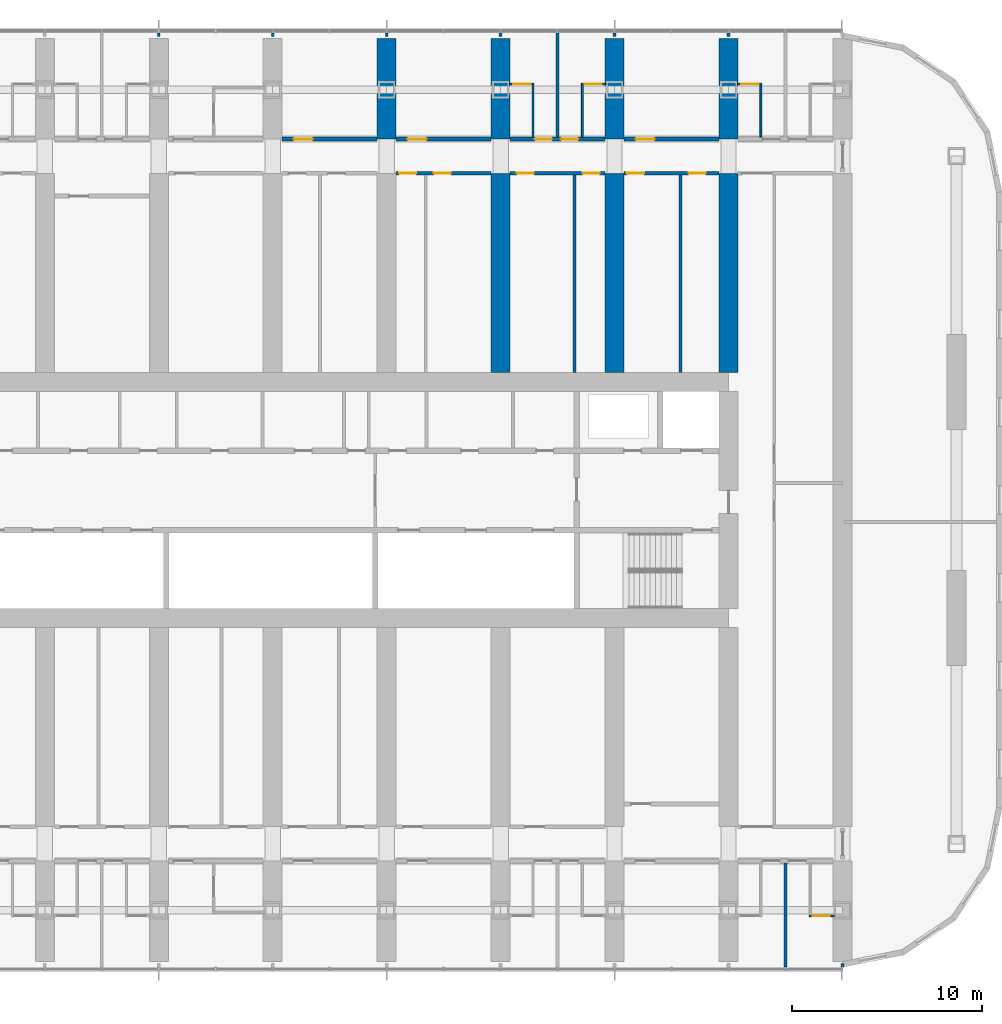
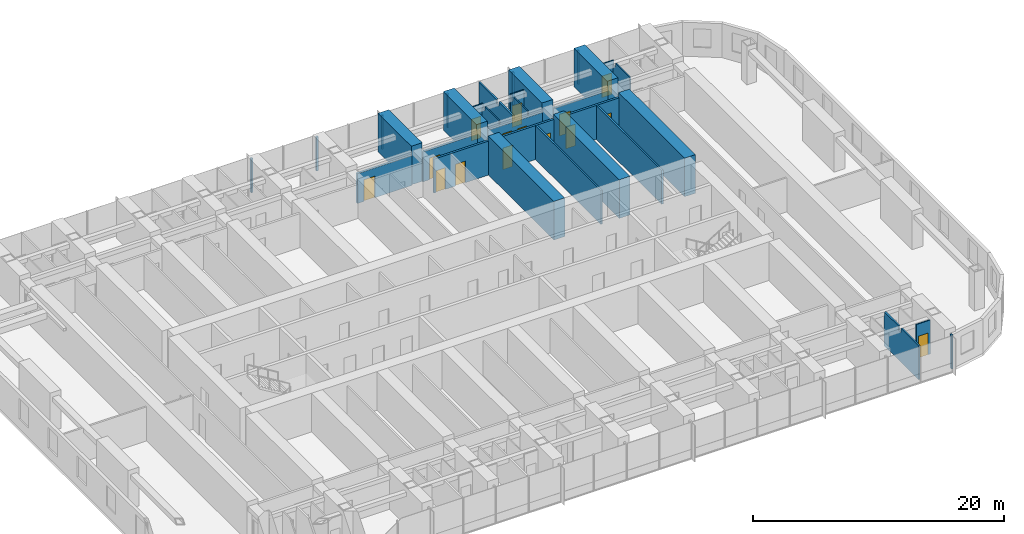
# One storey, part 16 of 23: 32 walls, 15 doors, 15 openings.
"""IFC4 building model written with IfcOpenShell, lengths in metres."""

import ifcopenshell
import ifcopenshell.guid

model = None  # the IFC model being written
_history = None  # IfcOwnerHistory: only IFC2X3 demands one
_inside = {}  # id of a spatial element -> (the spatial element, [elements in it])
_under = {}  # id of a project, library or spatial element -> (it, [spatial elements below it])
_declared = {}  # id of a project -> (the project, [libraries it declares])
_typed = {}  # id of a type object -> (the type object, [elements of that type])
_made_of = {}  # id of a material, layer set ... -> (it, [elements and type objects made of it])


def new_model(schema):
    """Start an empty IFC model of exactly this schema.

    Asked for "IFC4X3", IfcOpenShell would pick the latest addendum, in which some entities
    have other attributes; the version numbers below select the first issue.
    IFC2X3 requires an IfcOwnerHistory on every rooted entity: one is made here for all.
    """
    global model, _history
    if schema == "IFC4X3":
        model = ifcopenshell.file(schema_version=(4, 3, 0, 0))
    else:
        model = ifcopenshell.file(schema=schema)
    _inside.clear()
    _under.clear()
    _declared.clear()
    _typed.clear()
    _made_of.clear()
    _history = None
    if model.schema == "IFC2X3":
        org = make("IfcOrganization", Name="unknown")
        user = make(
            "IfcPersonAndOrganization",
            ThePerson=make("IfcPerson", FamilyName="unknown"),
            TheOrganization=org,
        )
        app = make(
            "IfcApplication",
            ApplicationDeveloper=org,
            Version="unknown",
            ApplicationFullName="unknown",
            ApplicationIdentifier="unknown",
        )
        _history = make(
            "IfcOwnerHistory",
            OwningUser=user,
            OwningApplication=app,
            ChangeAction="ADDED",
            CreationDate=0,
        )
    return model


def make(cls, **values):
    """One entity of the class cls with the attributes given. An attribute that is None is left unset."""
    return model.create_entity(
        cls, **{name: value for name, value in values.items() if value is not None}
    )


def rooted(cls, **values):
    """An entity with a GlobalId (a new one), such as an element, a storey or a relation."""
    return make(cls, GlobalId=ifcopenshell.guid.new(), OwnerHistory=_history, **values)


def si_unit(unit_type, name, prefix=None):
    """IfcSIUnit, for example si_unit("LENGTHUNIT", "METRE", prefix="MILLI")."""
    return make("IfcSIUnit", UnitType=unit_type, Prefix=prefix, Name=name)


def assignment(units):
    """IfcUnitAssignment: the units of a project."""
    return None if units is None else make("IfcUnitAssignment", Units=units)


def point(xyz):
    """IfcCartesianPoint."""
    return None if xyz is None else make("IfcCartesianPoint", Coordinates=xyz)


def direction(xyz):
    """IfcDirection."""
    return None if xyz is None else make("IfcDirection", DirectionRatios=xyz)


def frame(location, z_axis=None, x_axis=None):
    """IfcAxis2Placement3D, a coordinate frame: its origin and axes. An axis left out is left unset."""
    return make(
        "IfcAxis2Placement3D",
        Location=point(location),
        Axis=direction(z_axis),
        RefDirection=direction(x_axis),
    )


def frame_2d(location, x_axis=None):
    """IfcAxis2Placement2D, a coordinate frame in the plane: its origin and x axis."""
    return make(
        "IfcAxis2Placement2D", Location=point(location), RefDirection=direction(x_axis)
    )


def origin():
    """The frame at (0, 0, 0) with its axes left unset."""
    return frame((0.0, 0.0, 0.0))


def place(relative_to, where):
    """IfcLocalPlacement: puts the frame where relative to a parent placement (None: the world)."""
    return make(
        "IfcLocalPlacement", PlacementRelTo=relative_to, RelativePlacement=where
    )


def context(
    kind, dimensions, precision=None, world=None, true_north=None, identifier=None
):
    """IfcGeometricRepresentationContext, for example the 3D "Model" context."""
    return make(
        "IfcGeometricRepresentationContext",
        ContextIdentifier=identifier,
        ContextType=kind,
        CoordinateSpaceDimension=dimensions,
        Precision=precision,
        WorldCoordinateSystem=world,
        TrueNorth=true_north,
    )


def subcontext(parent, identifier, kind, view, scale=None):
    """IfcGeometricRepresentationSubContext, for example "Body" below "Model"."""
    return make(
        "IfcGeometricRepresentationSubContext",
        ContextIdentifier=identifier,
        ContextType=kind,
        ParentContext=parent,
        TargetScale=scale,
        TargetView=view,
    )


def project(units=None, contexts=None):
    """IfcProject with its units and contexts."""
    return rooted(
        "IfcProject",
        Name="project",
        RepresentationContexts=contexts,
        UnitsInContext=assignment(units),
    )


def spatial(cls, under=None, at=None, **own):
    """A site, building, storey or space (cls), placed at a placement, below another one or the project."""
    s = rooted(cls, ObjectPlacement=at, **own)
    if under is not None:
        _under.setdefault(under.id(), (under, []))[1].append(s)
    return s


def polyline(points):
    """IfcPolyline through the points."""
    return make("IfcPolyline", Points=[point(p) for p in points])


def profile(cls, at=None, kind="AREA", **sizes):
    """A parametric profile (cls). Its sizes go by their IFC names, for example OverallWidth=200.0."""
    return make(cls, ProfileType=kind, Position=at, **sizes)


def rectangle(**sizes):
    """IfcRectangleProfileDef."""
    return profile("IfcRectangleProfileDef", **sizes)


def outline(outer, holes=None, kind="AREA"):
    """IfcArbitraryClosedProfileDef: a profile drawn as a closed curve; with holes, ...WithVoids."""
    if holes is None:
        return make("IfcArbitraryClosedProfileDef", ProfileType=kind, OuterCurve=outer)
    return make(
        "IfcArbitraryProfileDefWithVoids",
        ProfileType=kind,
        OuterCurve=outer,
        InnerCurves=holes,
    )


def extrude(swept, where, along, depth):
    """IfcExtrudedAreaSolid: the profile swept, set in the frame where, extruded along a direction by depth."""
    return make(
        "IfcExtrudedAreaSolid",
        SweptArea=swept,
        Position=where,
        ExtrudedDirection=direction(along),
        Depth=depth,
    )


def shape(context_of_items, identifier, shape_type, items):
    """IfcShapeRepresentation: the items that make up one representation, for example the "Body"."""
    return make(
        "IfcShapeRepresentation",
        ContextOfItems=context_of_items,
        RepresentationIdentifier=identifier,
        RepresentationType=shape_type,
        Items=items,
    )


def material(Name=None, Category=None):
    """IfcMaterial."""
    return make("IfcMaterial", Name=Name, Category=Category)


def layer(
    of_material, thickness, ventilated=None, Name=None, Category=None, Priority=None
):
    """IfcMaterialLayer: one layer of a wall or slab, of a material (None: an air gap)."""
    return make(
        "IfcMaterialLayer",
        Material=of_material,
        LayerThickness=thickness,
        IsVentilated=ventilated,
        Name=Name,
        Category=Category,
        Priority=Priority,
    )


def layer_set(layers, Name=None):
    """IfcMaterialLayerSet."""
    return make("IfcMaterialLayerSet", MaterialLayers=layers, LayerSetName=Name)


def made_of(thing, what):
    """Note that an element or type object is made of a material, layer set ...; save() writes the relation."""
    if what is not None:
        _made_of.setdefault(what.id(), (what, []))[1].append(thing)
    return thing


def type_object(cls, material=None, **own):
    """A type object (cls), such as IfcWallType, which elements share."""
    return made_of(rooted(cls, **own), material)


def element(
    cls,
    number,
    at=None,
    inside=None,
    cuts=None,
    type_object=None,
    material=None,
    context=None,
    identifier="Body",
    shape_type=None,
    held_by="IfcProductDefinitionShape",
    body=None,
    shapes=None,
    **own,
):
    """One element of the class cls, such as IfcWall. Its Tag is "e" and its number.

    at: its placement. inside: the storey or other place that contains it. cuts: it is an
    opening in that element (IfcRelVoidsElement). A single representation is given by context,
    identifier, shape_type and body (its items); several are given by shapes. held_by: the class
    of the entity that holds the representations. save() writes the other relations.
    """
    e = rooted(cls, Tag="e%d" % number, ObjectPlacement=at, **own)
    if body is not None:
        shapes = [shape(context, identifier, shape_type, body)]
    if shapes is not None:
        e.Representation = make(held_by, Representations=shapes)
    if inside is not None:
        _inside.setdefault(inside.id(), (inside, []))[1].append(e)
    if cuts is not None:
        rooted(
            "IfcRelVoidsElement", RelatingBuildingElement=cuts, RelatedOpeningElement=e
        )
    if type_object is not None:
        _typed.setdefault(type_object.id(), (type_object, []))[1].append(e)
    return made_of(e, material)


def fill(opening, filler):
    """IfcRelFillsElement: the door or window that sits in an opening."""
    return rooted(
        "IfcRelFillsElement",
        RelatingOpeningElement=opening,
        RelatedBuildingElement=filler,
    )


def aggregate(whole, parts):
    """IfcRelAggregates: a whole, such as a stair, and the parts it consists of."""
    return rooted("IfcRelAggregates", RelatingObject=whole, RelatedObjects=parts)


def save(model, path):
    """Write the relations noted so far, then the file.

    IfcRelAggregates (storeys below a building ...), IfcRelContainedInSpatialStructure (elements
    in a storey), IfcRelDefinesByType, IfcRelAssociatesMaterial and IfcRelDeclares: one each for
    every whole, place, type object, material and project.
    """
    for whole, parts in _under.values():
        aggregate(whole, parts)
    for where, things in _inside.values():
        rooted(
            "IfcRelContainedInSpatialStructure",
            RelatedElements=things,
            RelatingStructure=where,
        )
    for kind, things in _typed.values():
        rooted("IfcRelDefinesByType", RelatedObjects=things, RelatingType=kind)
    for what, things in _made_of.values():
        rooted("IfcRelAssociatesMaterial", RelatedObjects=things, RelatingMaterial=what)
    for by, libraries in _declared.values():
        rooted("IfcRelDeclares", RelatingContext=by, RelatedDefinitions=libraries)
    model.write(path)


model = new_model("IFC4")

# Units and contexts
model_context = context("Model", 3, precision=1e-05, world=origin(), true_north=direction((0.0, 1.0)))
body_context = subcontext(model_context, "Body", "Model", "MODEL_VIEW")
ifc_project = project(units=[si_unit("LENGTHUNIT", "METRE"), si_unit("AREAUNIT", "SQUARE_METRE"), si_unit("VOLUMEUNIT", "CUBIC_METRE"), si_unit("PLANEANGLEUNIT", "RADIAN"), si_unit("MASSUNIT", "GRAM", prefix="KILO")], contexts=[model_context])

# Site, building, storey
site_placement = place(None, origin())
site = spatial("IfcSite", under=ifc_project, at=site_placement, CompositionType="ELEMENT")
building_placement = place(site_placement, origin())
building = spatial("IfcBuilding", under=site, at=building_placement, Name="Orbita Commons", CompositionType="ELEMENT")
storey_placement = place(building_placement, frame((0.0, 0.0, 50.199951171875)))
storey = spatial("IfcBuildingStorey", under=building, at=storey_placement, Name="L12", CompositionType="ELEMENT", Elevation=50.199951171875)

# Wall, opening, door
ifc_material_1 = material(Name="Concrete blockwork", Category="masonry")
ifc_layer_1 = layer(ifc_material_1, 0.199951171875)
ifc_layer_set_1 = layer_set([ifc_layer_1], Name="Concrete blockwork")
wall_type_1 = type_object("IfcWallType", Name="Corridor wall 200 blockwork", PredefinedType="SOLIDWALL", material=ifc_layer_set_1)
wall_1_placement = place(storey_placement, frame((42.5, 51.0, 0.0), z_axis=(0.0, 0.0, 1.0), x_axis=(1.0, 0.0, 0.0)))
wall_1 = element("IfcWall", 1, at=wall_1_placement, inside=storey, type_object=wall_type_1, Name="Corridor wall 200 blockwork L12", PredefinedType="SOLIDWALL", context=body_context, shape_type="SweptSolid", body=[
    extrude(outline(polyline([(0.0, 0.0), (5.0, 0.0), (5.0, 2.900146484375), (0.0, 2.900146484375), (0.0, 0.0)])), frame((0.0, 0.10009765625, 0.0), z_axis=(0.0, -1.0, 0.0), x_axis=(1.0, 0.0, 0.0)), (0.0, 0.0, 1.0), 0.199951171875),
])
opening_1_placement = place(wall_1_placement, frame((0.60009765625, 0.0, 0.0)))
opening_1 = element("IfcOpeningElement", 2, at=opening_1_placement, cuts=wall_1, Name="Opening D06", PredefinedType="OPENING", context=body_context, shape_type="SweptSolid", body=[
    extrude(rectangle(XDim=1.0, YDim=2.10009765625, at=frame_2d((0.5, 1.050048828125))), frame((0.0, 0.10986328125, 0.0), z_axis=(0.0, -1.0, 0.0), x_axis=(1.0, 0.0, 0.0)), (0.0, 0.0, 1.0), 0.219970703125),
])
ifc_material_2 = material(Name="Steel-faced fire door leaf", Category="steel")
door_type_1 = type_object("IfcDoorType", Name="Corridor door 20 min 1000x2100", OperationType="SINGLE_SWING_LEFT", PredefinedType="DOOR", material=ifc_material_2)
door_1_placement = place(opening_1_placement, origin())
door_1 = element("IfcDoor", 3, at=door_1_placement, inside=storey, type_object=door_type_1, Name="House common room L12-N10 door", OperationType="SINGLE_SWING_LEFT", OverallHeight=2.10009765625, OverallWidth=1.0, PredefinedType="DOOR", context=body_context, shape_type="SweptSolid", body=[
    extrude(rectangle(XDim=1.0, YDim=2.10009765625, at=frame_2d((0.5, 1.050048828125))), frame((0.0, 0.02490234375, 0.0), z_axis=(0.0, -1.0, 0.0), x_axis=(1.0, 0.0, 0.0)), (0.0, 0.0, 1.0), 0.050048828125),
])
fill(opening_1, door_1)

wall_2_placement = place(storey_placement, frame((48.5, 51.0, 0.0), z_axis=(0.0, 0.0, 1.0), x_axis=(1.0, 0.0, 0.0)))
wall_2 = element("IfcWall", 4, at=wall_2_placement, inside=storey, type_object=wall_type_1, Name="Corridor wall 200 blockwork L12", PredefinedType="SOLIDWALL", context=body_context, shape_type="SweptSolid", body=[
    extrude(outline(polyline([(0.0, 0.0), (5.0, 0.0), (5.0, 2.900146484375), (0.0, 2.900146484375), (0.0, 0.0)])), frame((0.0, 0.10009765625, 0.0), z_axis=(0.0, -1.0, 0.0), x_axis=(1.0, 0.0, 0.0)), (0.0, 0.0, 1.0), 0.199951171875),
])
opening_2_placement = place(wall_2_placement, frame((0.60009765625, 0.0, 0.0)))
opening_2 = element("IfcOpeningElement", 5, at=opening_2_placement, cuts=wall_2, Name="Opening D06", PredefinedType="OPENING", context=body_context, shape_type="SweptSolid", body=[
    extrude(rectangle(XDim=1.0, YDim=2.10009765625, at=frame_2d((0.5, 1.050048828125))), frame((0.0, 0.10986328125, 0.0), z_axis=(0.0, -1.0, 0.0), x_axis=(1.0, 0.0, 0.0)), (0.0, 0.0, 1.0), 0.219970703125),
])
door_2_placement = place(opening_2_placement, origin())
door_2 = element("IfcDoor", 6, at=door_2_placement, inside=storey, type_object=door_type_1, Name="House kitchen-diner L12-N12 door", OperationType="SINGLE_SWING_LEFT", OverallHeight=2.10009765625, OverallWidth=1.0, PredefinedType="DOOR", context=body_context, shape_type="SweptSolid", body=[
    extrude(rectangle(XDim=1.0, YDim=2.10009765625, at=frame_2d((0.5, 1.050048828125))), frame((0.0, 0.02490234375, 0.0), z_axis=(0.0, -1.0, 0.0), x_axis=(1.0, 0.0, 0.0)), (0.0, 0.0, 1.0), 0.050048828125),
])
fill(opening_2, door_2)

# Wall, openings, doors
wall_3_placement = place(storey_placement, frame((54.5, 51.0, 0.0), z_axis=(0.0, 0.0, 1.0), x_axis=(1.0, 0.0, 0.0)))
wall_3 = element("IfcWall", 7, at=wall_3_placement, inside=storey, type_object=wall_type_1, Name="Corridor wall 200 blockwork L12", PredefinedType="SOLIDWALL", context=body_context, shape_type="SweptSolid", body=[
    extrude(outline(polyline([(0.0, 0.0), (5.0, 0.0), (5.0, 2.900146484375), (0.0, 2.900146484375), (0.0, 0.0)])), frame((0.0, 0.10009765625, 0.0), z_axis=(0.0, -1.0, 0.0), x_axis=(1.0, 0.0, 0.0)), (0.0, 0.0, 1.0), 0.199951171875),
])
opening_3_placement = place(wall_3_placement, frame((1.300048828125, 0.0, 0.0)))
opening_3 = element("IfcOpeningElement", 8, at=opening_3_placement, cuts=wall_3, Name="Opening D11", PredefinedType="OPENING", context=body_context, shape_type="SweptSolid", body=[
    extrude(rectangle(XDim=0.89990234375, YDim=2.10009765625, at=frame_2d((0.449951171875, 1.050048828125))), frame((0.0, 0.10986328125, 0.0), z_axis=(0.0, -1.0, 0.0), x_axis=(1.0, 0.0, 0.0)), (0.0, 0.0, 1.0), 0.219970703125),
])
opening_4_placement = place(wall_3_placement, frame((2.675048828125, 0.0, 0.0)))
opening_4 = element("IfcOpeningElement", 9, at=opening_4_placement, cuts=wall_3, Name="Opening D11", PredefinedType="OPENING", context=body_context, shape_type="SweptSolid", body=[
    extrude(rectangle(XDim=0.89990234375, YDim=2.10009765625, at=frame_2d((0.449951171875, 1.050048828125))), frame((0.0, 0.10986328125, 0.0), z_axis=(0.0, -1.0, 0.0), x_axis=(1.0, 0.0, 0.0)), (0.0, 0.0, 1.0), 0.219970703125),
])
ifc_material_3 = material(Name="Steel-faced fire door leaf", Category="steel")
door_type_2 = type_object("IfcDoorType", Name="Corridor door 20 min 900x2100", OperationType="SINGLE_SWING_LEFT", PredefinedType="DOOR", material=ifc_material_3)
door_3_placement = place(opening_3_placement, origin())
door_3 = element("IfcDoor", 10, at=door_3_placement, inside=storey, type_object=door_type_2, Name="House bedroom L12-N14 door", OperationType="SINGLE_SWING_LEFT", OverallHeight=2.10009765625, OverallWidth=0.89990234375, PredefinedType="DOOR", context=body_context, shape_type="SweptSolid", body=[
    extrude(rectangle(XDim=0.89990234375, YDim=2.10009765625, at=frame_2d((0.449951171875, 1.050048828125))), frame((0.0, 0.02490234375, 0.0), z_axis=(0.0, -1.0, 0.0), x_axis=(1.0, 0.0, 0.0)), (0.0, 0.0, 1.0), 0.050048828125),
])
fill(opening_3, door_3)
door_4_placement = place(opening_4_placement, origin())
door_4 = element("IfcDoor", 11, at=door_4_placement, inside=storey, type_object=door_type_2, Name="House bedroom L12-N15 door", OperationType="SINGLE_SWING_LEFT", OverallHeight=2.10009765625, OverallWidth=0.89990234375, PredefinedType="DOOR", context=body_context, shape_type="SweptSolid", body=[
    extrude(rectangle(XDim=0.89990234375, YDim=2.10009765625, at=frame_2d((0.449951171875, 1.050048828125))), frame((0.0, 0.02490234375, 0.0), z_axis=(0.0, -1.0, 0.0), x_axis=(1.0, 0.0, 0.0)), (0.0, 0.0, 1.0), 0.050048828125),
])
fill(opening_4, door_4)

# Wall, opening, door
wall_4_placement = place(storey_placement, frame((60.5, 51.0, 0.0), z_axis=(0.0, 0.0, 1.0), x_axis=(1.0, 0.0, 0.0)))
wall_4 = element("IfcWall", 12, at=wall_4_placement, inside=storey, type_object=wall_type_1, Name="Corridor wall 200 blockwork L12", PredefinedType="SOLIDWALL", context=body_context, shape_type="SweptSolid", body=[
    extrude(outline(polyline([(0.0, 0.0), (5.0, 0.0), (5.0, 2.900146484375), (0.0, 2.900146484375), (0.0, 0.0)])), frame((0.0, 0.10009765625, 0.0), z_axis=(0.0, -1.0, 0.0), x_axis=(1.0, 0.0, 0.0)), (0.0, 0.0, 1.0), 0.199951171875),
])
opening_5_placement = place(wall_4_placement, frame((0.60009765625, 0.0, 0.0)))
opening_5 = element("IfcOpeningElement", 13, at=opening_5_placement, cuts=wall_4, Name="Opening D06", PredefinedType="OPENING", context=body_context, shape_type="SweptSolid", body=[
    extrude(rectangle(XDim=1.0, YDim=2.10009765625, at=frame_2d((0.5, 1.050048828125))), frame((0.0, 0.10986328125, 0.0), z_axis=(0.0, -1.0, 0.0), x_axis=(1.0, 0.0, 0.0)), (0.0, 0.0, 1.0), 0.219970703125),
])
door_5_placement = place(opening_5_placement, origin())
door_5 = element("IfcDoor", 14, at=door_5_placement, inside=storey, type_object=door_type_1, Name="House study room L12-N16 door", OperationType="SINGLE_SWING_LEFT", OverallHeight=2.10009765625, OverallWidth=1.0, PredefinedType="DOOR", context=body_context, shape_type="SweptSolid", body=[
    extrude(rectangle(XDim=1.0, YDim=2.10009765625, at=frame_2d((0.5, 1.050048828125))), frame((0.0, 0.02490234375, 0.0), z_axis=(0.0, -1.0, 0.0), x_axis=(1.0, 0.0, 0.0)), (0.0, 0.0, 1.0), 0.050048828125),
])
fill(opening_5, door_5)

# Wall, openings, doors
ifc_material_4 = material(Name="Hollow concrete block 200", Category="concrete")
ifc_layer_2 = layer(ifc_material_4, 0.199951171875)
ifc_layer_set_2 = layer_set([ifc_layer_2], Name="Hollow concrete block 200")
wall_type_2 = type_object("IfcWallType", Name="Corridor wall 200 hollow concrete block", PredefinedType="SOLIDWALL", material=ifc_layer_set_2)
wall_5_placement = place(storey_placement, frame((48.5, 49.199951171875, 0.0), z_axis=(0.0, 0.0, 1.0), x_axis=(1.0, 0.0, 0.0)))
wall_5 = element("IfcWall", 15, at=wall_5_placement, inside=storey, type_object=wall_type_2, Name="Corridor wall 200 hollow concrete block L12", PredefinedType="SOLIDWALL", context=body_context, shape_type="SweptSolid", body=[
    extrude(rectangle(XDim=5.0, YDim=0.199951171875, at=frame_2d((2.5, 0.0))), origin(), (0.0, 0.0, 1.0), 3.300048828125),
])
opening_6_placement = place(wall_5_placement, frame((0.14990234375, 0.0, 0.0)))
opening_6 = element("IfcOpeningElement", 16, at=opening_6_placement, cuts=wall_5, Name="Opening D11", PredefinedType="OPENING", context=body_context, shape_type="SweptSolid", body=[
    extrude(rectangle(XDim=0.89990234375, YDim=2.10009765625, at=frame_2d((0.449951171875, 1.050048828125))), frame((0.0, 0.10986328125, 0.0), z_axis=(0.0, -1.0, 0.0), x_axis=(1.0, 0.0, 0.0)), (0.0, 0.0, 1.0), 0.219970703125),
])
opening_7_placement = place(wall_5_placement, frame((1.97998046875, 0.0, 0.0)))
opening_7 = element("IfcOpeningElement", 17, at=opening_7_placement, cuts=wall_5, Name="Opening D11", PredefinedType="OPENING", context=body_context, shape_type="SweptSolid", body=[
    extrude(rectangle(XDim=0.89990234375, YDim=2.10009765625, at=frame_2d((0.449951171875, 1.050048828125))), frame((0.0, 0.10986328125, 0.0), z_axis=(0.0, -1.0, 0.0), x_axis=(1.0, 0.0, 0.0)), (0.0, 0.0, 1.0), 0.219970703125),
])
door_6_placement = place(opening_6_placement, origin())
door_6 = element("IfcDoor", 18, at=door_6_placement, inside=storey, type_object=door_type_2, Name="Riser access cupboard L12-BDN48n door", OperationType="SINGLE_SWING_LEFT", OverallHeight=2.10009765625, OverallWidth=0.89990234375, PredefinedType="DOOR", context=body_context, shape_type="SweptSolid", body=[
    extrude(rectangle(XDim=0.89990234375, YDim=2.10009765625, at=frame_2d((0.449951171875, 1.050048828125))), frame((0.0, 0.02490234375, 0.0), z_axis=(0.0, -1.0, 0.0), x_axis=(1.0, 0.0, 0.0)), (0.0, 0.0, 1.0), 0.050048828125),
])
fill(opening_6, door_6)
door_7_placement = place(opening_7_placement, origin())
door_7 = element("IfcDoor", 19, at=door_7_placement, inside=storey, type_object=door_type_2, Name="House pantry L12-BDN48 door", OperationType="SINGLE_SWING_LEFT", OverallHeight=2.10009765625, OverallWidth=0.89990234375, PredefinedType="DOOR", context=body_context, shape_type="SweptSolid", body=[
    extrude(rectangle(XDim=0.89990234375, YDim=2.10009765625, at=frame_2d((0.449951171875, 1.050048828125))), frame((0.0, 0.02490234375, 0.0), z_axis=(0.0, -1.0, 0.0), x_axis=(1.0, 0.0, 0.0)), (0.0, 0.0, 1.0), 0.050048828125),
])
fill(opening_7, door_7)

wall_6_placement = place(storey_placement, frame((54.5, 49.199951171875, 0.0), z_axis=(0.0, 0.0, 1.0), x_axis=(1.0, 0.0, 0.0)))
wall_6 = element("IfcWall", 20, at=wall_6_placement, inside=storey, type_object=wall_type_2, Name="Corridor wall 200 hollow concrete block L12", PredefinedType="SOLIDWALL", context=body_context, shape_type="SweptSolid", body=[
    extrude(rectangle(XDim=5.0, YDim=0.199951171875, at=frame_2d((2.5, 0.0))), origin(), (0.0, 0.0, 1.0), 3.300048828125),
])
opening_8_placement = place(wall_6_placement, frame((0.35009765625, 0.0, 0.0)))
opening_8 = element("IfcOpeningElement", 21, at=opening_8_placement, cuts=wall_6, Name="Opening D11", PredefinedType="OPENING", context=body_context, shape_type="SweptSolid", body=[
    extrude(rectangle(XDim=0.89990234375, YDim=2.10009765625, at=frame_2d((0.449951171875, 1.050048828125))), frame((0.0, 0.10986328125, 0.0), z_axis=(0.0, -1.0, 0.0), x_axis=(1.0, 0.0, 0.0)), (0.0, 0.0, 1.0), 0.219970703125),
])
opening_9_placement = place(wall_6_placement, frame((3.81005859375, 0.0, 0.0)))
opening_9 = element("IfcOpeningElement", 22, at=opening_9_placement, cuts=wall_6, Name="Opening D11", PredefinedType="OPENING", context=body_context, shape_type="SweptSolid", body=[
    extrude(rectangle(XDim=0.89990234375, YDim=2.10009765625, at=frame_2d((0.449951171875, 1.050048828125))), frame((0.0, 0.10986328125, 0.0), z_axis=(0.0, -1.0, 0.0), x_axis=(1.0, 0.0, 0.0)), (0.0, 0.0, 1.0), 0.219970703125),
])
door_8_placement = place(opening_8_placement, origin())
door_8 = element("IfcDoor", 23, at=door_8_placement, inside=storey, type_object=door_type_2, Name="Parcel and post room L12-BDN54 door", OperationType="SINGLE_SWING_LEFT", OverallHeight=2.10009765625, OverallWidth=0.89990234375, PredefinedType="DOOR", context=body_context, shape_type="SweptSolid", body=[
    extrude(rectangle(XDim=0.89990234375, YDim=2.10009765625, at=frame_2d((0.449951171875, 1.050048828125))), frame((0.0, 0.02490234375, 0.0), z_axis=(0.0, -1.0, 0.0), x_axis=(1.0, 0.0, 0.0)), (0.0, 0.0, 1.0), 0.050048828125),
])
fill(opening_8, door_8)
door_9_placement = place(opening_9_placement, origin())
door_9 = element("IfcDoor", 24, at=door_9_placement, inside=storey, type_object=door_type_2, Name="Water heater cupboard L12-BDN54n door", OperationType="SINGLE_SWING_LEFT", OverallHeight=2.10009765625, OverallWidth=0.89990234375, PredefinedType="DOOR", context=body_context, shape_type="SweptSolid", body=[
    extrude(rectangle(XDim=0.89990234375, YDim=2.10009765625, at=frame_2d((0.449951171875, 1.050048828125))), frame((0.0, 0.02490234375, 0.0), z_axis=(0.0, -1.0, 0.0), x_axis=(1.0, 0.0, 0.0)), (0.0, 0.0, 1.0), 0.050048828125),
])
fill(opening_9, door_9)

wall_7_placement = place(storey_placement, frame((60.5, 49.199951171875, 0.0), z_axis=(0.0, 0.0, 1.0), x_axis=(1.0, 0.0, 0.0)))
wall_7 = element("IfcWall", 25, at=wall_7_placement, inside=storey, type_object=wall_type_2, Name="Corridor wall 200 hollow concrete block L12", PredefinedType="SOLIDWALL", context=body_context, shape_type="SweptSolid", body=[
    extrude(rectangle(XDim=5.0, YDim=0.199951171875, at=frame_2d((2.5, 0.0))), origin(), (0.0, 0.0, 1.0), 3.300048828125),
])
opening_10_placement = place(wall_7_placement, frame((0.14990234375, 0.0, 0.0)))
opening_10 = element("IfcOpeningElement", 26, at=opening_10_placement, cuts=wall_7, Name="Opening D11", PredefinedType="OPENING", context=body_context, shape_type="SweptSolid", body=[
    extrude(rectangle(XDim=0.89990234375, YDim=2.10009765625, at=frame_2d((0.449951171875, 1.050048828125))), frame((0.0, 0.10986328125, 0.0), z_axis=(0.0, -1.0, 0.0), x_axis=(1.0, 0.0, 0.0)), (0.0, 0.0, 1.0), 0.219970703125),
])
opening_11_placement = place(wall_7_placement, frame((3.39501953125, 0.0, 0.0)))
opening_11 = element("IfcOpeningElement", 27, at=opening_11_placement, cuts=wall_7, Name="Opening D11", PredefinedType="OPENING", context=body_context, shape_type="SweptSolid", body=[
    extrude(rectangle(XDim=0.89990234375, YDim=2.10009765625, at=frame_2d((0.449951171875, 1.050048828125))), frame((0.0, 0.10986328125, 0.0), z_axis=(0.0, -1.0, 0.0), x_axis=(1.0, 0.0, 0.0)), (0.0, 0.0, 1.0), 0.219970703125),
])
door_10_placement = place(opening_10_placement, origin())
door_10 = element("IfcDoor", 28, at=door_10_placement, inside=storey, type_object=door_type_2, Name="Cleaners store L12-BDN60 door", OperationType="SINGLE_SWING_LEFT", OverallHeight=2.10009765625, OverallWidth=0.89990234375, PredefinedType="DOOR", context=body_context, shape_type="SweptSolid", body=[
    extrude(rectangle(XDim=0.89990234375, YDim=2.10009765625, at=frame_2d((0.449951171875, 1.050048828125))), frame((0.0, 0.02490234375, 0.0), z_axis=(0.0, -1.0, 0.0), x_axis=(1.0, 0.0, 0.0)), (0.0, 0.0, 1.0), 0.050048828125),
])
fill(opening_10, door_10)
door_11_placement = place(opening_11_placement, origin())
door_11 = element("IfcDoor", 29, at=door_11_placement, inside=storey, type_object=door_type_2, Name="Battery and UPS room L12-BDN60n door", OperationType="SINGLE_SWING_LEFT", OverallHeight=2.10009765625, OverallWidth=0.89990234375, PredefinedType="DOOR", context=body_context, shape_type="SweptSolid", body=[
    extrude(rectangle(XDim=0.89990234375, YDim=2.10009765625, at=frame_2d((0.449951171875, 1.050048828125))), frame((0.0, 0.02490234375, 0.0), z_axis=(0.0, -1.0, 0.0), x_axis=(1.0, 0.0, 0.0)), (0.0, 0.0, 1.0), 0.050048828125),
])
fill(opening_11, door_11)

# Walls
ifc_material_5 = material(Name="Concrete C50/60", Category="concrete")
ifc_layer_3 = layer(ifc_material_5, 1.0)
ifc_layer_set_3 = layer_set([ifc_layer_3], Name="Concrete C50/60")
wall_type_3 = type_object("IfcWallType", Name="Cross wall 1000 C50/60", PredefinedType="SHEAR", material=ifc_layer_set_3)
for number, where, z_axis, x_axis, name in (
    (30, (48.0, 51.0, 0.0), (0.0, 0.0, 1.0), (0.0, 1.0, 0.0), "Cross wall 9 north outer L12"),
    (31, (54.0, 51.0, 0.0), (0.0, 0.0, 1.0), (0.0, 1.0, 0.0), "Cross wall 10 north outer L12"),
):
    element("IfcWall", number, at=place(storey_placement, frame(where, z_axis=z_axis, x_axis=x_axis)), inside=storey, type_object=wall_type_3, Name=name, PredefinedType="SHEAR", context=body_context, shape_type="SweptSolid", body=[
        extrude(rectangle(XDim=5.300048828125, YDim=1.0, at=frame_2d((2.64990234375, 0.0))), origin(), (0.0, 0.0, 1.0), 3.75),
    ])
wall_8_placement = place(storey_placement, frame((54.0, 38.699951171875, 0.0), z_axis=(0.0, 0.0, 1.0), x_axis=(0.0, 1.0, 0.0)))
element("IfcWall", 32, at=wall_8_placement, inside=storey, type_object=wall_type_3, Name="Cross wall 10 north inner L12", PredefinedType="SHEAR", context=body_context, shape_type="SweptSolid", body=[
    extrude(rectangle(XDim=10.5, YDim=1.0, at=frame_2d((5.25, 0.0))), origin(), (0.0, 0.0, 1.0), 3.75),
])
wall_9_placement = place(storey_placement, frame((60.0, 51.0, 0.0), z_axis=(0.0, 0.0, 1.0), x_axis=(0.0, 1.0, 0.0)))
element("IfcWall", 33, at=wall_9_placement, inside=storey, type_object=wall_type_3, Name="Cross wall 11 north outer L12", PredefinedType="SHEAR", context=body_context, shape_type="SweptSolid", body=[
    extrude(rectangle(XDim=5.300048828125, YDim=1.0, at=frame_2d((2.64990234375, 0.0))), origin(), (0.0, 0.0, 1.0), 3.75),
])
wall_10_placement = place(storey_placement, frame((60.0, 38.699951171875, 0.0), z_axis=(0.0, 0.0, 1.0), x_axis=(0.0, 1.0, 0.0)))
element("IfcWall", 34, at=wall_10_placement, inside=storey, type_object=wall_type_3, Name="Cross wall 11 north inner L12", PredefinedType="SHEAR", context=body_context, shape_type="SweptSolid", body=[
    extrude(rectangle(XDim=10.5, YDim=1.0, at=frame_2d((5.25, 0.0))), origin(), (0.0, 0.0, 1.0), 3.75),
])
wall_11_placement = place(storey_placement, frame((66.0, 51.0, 0.0), z_axis=(0.0, 0.0, 1.0), x_axis=(0.0, 1.0, 0.0)))
element("IfcWall", 35, at=wall_11_placement, inside=storey, type_object=wall_type_3, Name="Cross wall 12 north outer L12", PredefinedType="SHEAR", context=body_context, shape_type="SweptSolid", body=[
    extrude(rectangle(XDim=5.300048828125, YDim=1.0, at=frame_2d((2.64990234375, 0.0))), origin(), (0.0, 0.0, 1.0), 3.75),
])
wall_12_placement = place(storey_placement, frame((66.0, 38.699951171875, 0.0), z_axis=(0.0, 0.0, 1.0), x_axis=(0.0, 1.0, 0.0)))
element("IfcWall", 36, at=wall_12_placement, inside=storey, type_object=wall_type_3, Name="Cross wall 12 north inner L12", PredefinedType="SHEAR", context=body_context, shape_type="SweptSolid", body=[
    extrude(rectangle(XDim=10.5, YDim=1.0, at=frame_2d((5.25, 0.0))), origin(), (0.0, 0.0, 1.0), 3.75),
])

# Wall, opening, door
ifc_material_6 = material(Name="Moisture-resistant plasterboard on steel studs", Category="steel")
ifc_layer_4 = layer(ifc_material_6, 0.10009765625)
ifc_layer_set_4 = layer_set([ifc_layer_4], Name="Moisture-resistant plasterboard on steel studs")
wall_type_4 = type_object("IfcWallType", Name="En-suite partition 100", PredefinedType="PARTITIONING", material=ifc_layer_set_4)
wall_13_placement = place(storey_placement, frame((71.550048828125, 10.10009765625, 0.0), z_axis=(0.0, 0.0, 1.0), x_axis=(-1.0, 0.0, 0.0)))
wall_13 = element("IfcWall", 37, at=wall_13_placement, inside=storey, type_object=wall_type_4, Name="En-suite partition 100 L12", PredefinedType="PARTITIONING", context=body_context, shape_type="SweptSolid", body=[
    extrude(rectangle(XDim=1.300048828125, YDim=0.10009765625, at=frame_2d((0.64990234375, 0.0))), origin(), (0.0, 0.0, 1.0), 3.300048828125),
])
opening_12_placement = place(wall_13_placement, frame((0.22509765625, 0.0, 0.0)))
opening_12 = element("IfcOpeningElement", 38, at=opening_12_placement, cuts=wall_13, Name="Opening D09", PredefinedType="OPENING", context=body_context, shape_type="SweptSolid", body=[
    extrude(rectangle(XDim=0.89990234375, YDim=2.10009765625, at=frame_2d((0.449951171875, 1.050048828125))), frame((0.0, 0.06005859375, 0.0), z_axis=(0.0, -1.0, 0.0), x_axis=(1.0, 0.0, 0.0)), (0.0, 0.0, 1.0), 0.1201171875),
])
ifc_material_7 = material(Name="Laminated timber door leaf", Category="wood")
door_type_3 = type_object("IfcDoorType", Name="En-suite door 900x2100", OperationType="SINGLE_SWING_RIGHT", PredefinedType="DOOR", material=ifc_material_7)
door_12_placement = place(opening_12_placement, origin())
door_12 = element("IfcDoor", 39, at=door_12_placement, inside=storey, type_object=door_type_3, Name="En-suite L12-S19 door", OperationType="SINGLE_SWING_RIGHT", OverallHeight=2.10009765625, OverallWidth=0.89990234375, PredefinedType="DOOR", context=body_context, shape_type="SweptSolid", body=[
    extrude(rectangle(XDim=0.89990234375, YDim=2.10009765625, at=frame_2d((0.449951171875, 1.050048828125))), frame((0.0, 0.02490234375, 0.0), z_axis=(0.0, -1.0, 0.0), x_axis=(1.0, 0.0, 0.0)), (0.0, 0.0, 1.0), 0.050048828125),
])
fill(opening_12, door_12)

wall_14_placement = place(storey_placement, frame((54.449951171875, 53.89990234375, 0.0), z_axis=(0.0, 0.0, 1.0), x_axis=(1.0, 0.0, 0.0)))
wall_14 = element("IfcWall", 40, at=wall_14_placement, inside=storey, type_object=wall_type_4, Name="En-suite partition 100 L12", PredefinedType="PARTITIONING", context=body_context, shape_type="SweptSolid", body=[
    extrude(rectangle(XDim=1.300048828125, YDim=0.10009765625, at=frame_2d((0.64990234375, 0.0))), origin(), (0.0, 0.0, 1.0), 3.300048828125),
])
opening_13_placement = place(wall_14_placement, frame((0.22509765625, 0.0, 0.0)))
opening_13 = element("IfcOpeningElement", 41, at=opening_13_placement, cuts=wall_14, Name="Opening D09", PredefinedType="OPENING", context=body_context, shape_type="SweptSolid", body=[
    extrude(rectangle(XDim=0.89990234375, YDim=2.10009765625, at=frame_2d((0.449951171875, 1.050048828125))), frame((0.0, 0.06005859375, 0.0), z_axis=(0.0, -1.0, 0.0), x_axis=(1.0, 0.0, 0.0)), (0.0, 0.0, 1.0), 0.1201171875),
])
door_13_placement = place(opening_13_placement, origin())
door_13 = element("IfcDoor", 42, at=door_13_placement, inside=storey, type_object=door_type_3, Name="En-suite L12-N14 door", OperationType="SINGLE_SWING_RIGHT", OverallHeight=2.10009765625, OverallWidth=0.89990234375, PredefinedType="DOOR", context=body_context, shape_type="SweptSolid", body=[
    extrude(rectangle(XDim=0.89990234375, YDim=2.10009765625, at=frame_2d((0.449951171875, 1.050048828125))), frame((0.0, 0.02490234375, 0.0), z_axis=(0.0, -1.0, 0.0), x_axis=(1.0, 0.0, 0.0)), (0.0, 0.0, 1.0), 0.050048828125),
])
fill(opening_13, door_13)

# Wall
wall_15_placement = place(storey_placement, frame((55.699951171875, 53.85009765625, 0.0), z_axis=(0.0, 0.0, 1.0), x_axis=(0.0, -1.0, 0.0)))
element("IfcWall", 43, at=wall_15_placement, inside=storey, type_object=wall_type_4, Name="En-suite partition 100 L12", PredefinedType="PARTITIONING", context=body_context, shape_type="SweptSolid", body=[
    extrude(outline(polyline([(0.0, 0.0), (2.75, 0.0), (2.75, 2.900146484375), (2.701904296875, 2.900146484375), (2.699951171875, 3.300048828125), (0.451904296875, 3.300048828125), (0.449951171875, 2.900146484375), (0.0, 2.900146484375), (0.0, 0.0)])), frame((0.0, 0.050048828125, 0.0), z_axis=(0.0, -1.0, 0.0), x_axis=(1.0, 0.0, 0.0)), (0.0, 0.0, 1.0), 0.10009765625),
])

# Wall, opening, door
wall_16_placement = place(storey_placement, frame((58.25, 53.89990234375, 0.0), z_axis=(0.0, 0.0, 1.0), x_axis=(1.0, 0.0, 0.0)))
wall_16 = element("IfcWall", 44, at=wall_16_placement, inside=storey, type_object=wall_type_4, Name="En-suite partition 100 L12", PredefinedType="PARTITIONING", context=body_context, shape_type="SweptSolid", body=[
    extrude(rectangle(XDim=1.300048828125, YDim=0.10009765625, at=frame_2d((0.64990234375, 0.0))), origin(), (0.0, 0.0, 1.0), 3.300048828125),
])
opening_14_placement = place(wall_16_placement, frame((0.175048828125, 0.0, 0.0)))
opening_14 = element("IfcOpeningElement", 45, at=opening_14_placement, cuts=wall_16, Name="Opening D09", PredefinedType="OPENING", context=body_context, shape_type="SweptSolid", body=[
    extrude(rectangle(XDim=0.89990234375, YDim=2.10009765625, at=frame_2d((0.449951171875, 1.050048828125))), frame((0.0, 0.06005859375, 0.0), z_axis=(0.0, -1.0, 0.0), x_axis=(1.0, 0.0, 0.0)), (0.0, 0.0, 1.0), 0.1201171875),
])
door_14_placement = place(opening_14_placement, origin())
door_14 = element("IfcDoor", 46, at=door_14_placement, inside=storey, type_object=door_type_3, Name="En-suite L12-N15 door", OperationType="SINGLE_SWING_RIGHT", OverallHeight=2.10009765625, OverallWidth=0.89990234375, PredefinedType="DOOR", context=body_context, shape_type="SweptSolid", body=[
    extrude(rectangle(XDim=0.89990234375, YDim=2.10009765625, at=frame_2d((0.449951171875, 1.050048828125))), frame((0.0, 0.02490234375, 0.0), z_axis=(0.0, -1.0, 0.0), x_axis=(1.0, 0.0, 0.0)), (0.0, 0.0, 1.0), 0.050048828125),
])
fill(opening_14, door_14)

# Wall
wall_17_placement = place(storey_placement, frame((58.300048828125, 53.85009765625, 0.0), z_axis=(0.0, 0.0, 1.0), x_axis=(0.0, -1.0, 0.0)))
element("IfcWall", 47, at=wall_17_placement, inside=storey, type_object=wall_type_4, Name="En-suite partition 100 L12", PredefinedType="PARTITIONING", context=body_context, shape_type="SweptSolid", body=[
    extrude(outline(polyline([(0.0, 0.0), (2.75, 0.0), (2.75, 2.900146484375), (2.701904296875, 2.900146484375), (2.699951171875, 3.300048828125), (0.451904296875, 3.300048828125), (0.449951171875, 2.900146484375), (0.0, 2.900146484375), (0.0, 0.0)])), frame((0.0, 0.050048828125, 0.0), z_axis=(0.0, -1.0, 0.0), x_axis=(1.0, 0.0, 0.0)), (0.0, 0.0, 1.0), 0.10009765625),
])

# Wall, opening, door
wall_18_placement = place(storey_placement, frame((66.449951171875, 53.89990234375, 0.0), z_axis=(0.0, 0.0, 1.0), x_axis=(1.0, 0.0, 0.0)))
wall_18 = element("IfcWall", 48, at=wall_18_placement, inside=storey, type_object=wall_type_4, Name="En-suite partition 100 L12", PredefinedType="PARTITIONING", context=body_context, shape_type="SweptSolid", body=[
    extrude(rectangle(XDim=1.300048828125, YDim=0.10009765625, at=frame_2d((0.64990234375, 0.0))), origin(), (0.0, 0.0, 1.0), 3.300048828125),
])
opening_15_placement = place(wall_18_placement, frame((0.22509765625, 0.0, 0.0)))
opening_15 = element("IfcOpeningElement", 49, at=opening_15_placement, cuts=wall_18, Name="Opening D09", PredefinedType="OPENING", context=body_context, shape_type="SweptSolid", body=[
    extrude(rectangle(XDim=0.89990234375, YDim=2.10009765625, at=frame_2d((0.449951171875, 1.050048828125))), frame((0.0, 0.06005859375, 0.0), z_axis=(0.0, -1.0, 0.0), x_axis=(1.0, 0.0, 0.0)), (0.0, 0.0, 1.0), 0.1201171875),
])
door_15_placement = place(opening_15_placement, origin())
door_15 = element("IfcDoor", 50, at=door_15_placement, inside=storey, type_object=door_type_3, Name="En-suite L12-N18 door", OperationType="SINGLE_SWING_RIGHT", OverallHeight=2.10009765625, OverallWidth=0.89990234375, PredefinedType="DOOR", context=body_context, shape_type="SweptSolid", body=[
    extrude(rectangle(XDim=0.89990234375, YDim=2.10009765625, at=frame_2d((0.449951171875, 1.050048828125))), frame((0.0, 0.02490234375, 0.0), z_axis=(0.0, -1.0, 0.0), x_axis=(1.0, 0.0, 0.0)), (0.0, 0.0, 1.0), 0.050048828125),
])
fill(opening_15, door_15)

# Walls
wall_19_placement = place(storey_placement, frame((67.699951171875, 53.85009765625, 0.0), z_axis=(0.0, 0.0, 1.0), x_axis=(0.0, -1.0, 0.0)))
element("IfcWall", 51, at=wall_19_placement, inside=storey, type_object=wall_type_4, Name="En-suite partition 100 L12", PredefinedType="PARTITIONING", context=body_context, shape_type="SweptSolid", body=[
    extrude(outline(polyline([(0.0, 0.0), (2.75, 0.0), (2.75, 2.900146484375), (2.701904296875, 2.900146484375), (2.699951171875, 3.300048828125), (0.451904296875, 3.300048828125), (0.449951171875, 2.900146484375), (0.0, 2.900146484375), (0.0, 0.0)])), frame((0.0, 0.050048828125, 0.0), z_axis=(0.0, -1.0, 0.0), x_axis=(1.0, 0.0, 0.0)), (0.0, 0.0, 1.0), 0.10009765625),
])
ifc_material_8 = material(Name="Gypsum plasterboard on steel studs", Category="steel")
ifc_layer_5 = layer(ifc_material_8, 0.14990234375)
ifc_layer_set_5 = layer_set([ifc_layer_5], Name="Gypsum plasterboard on steel studs")
wall_type_5 = type_object("IfcWallType", Name="Partition 150 plasterboard", PredefinedType="PARTITIONING", material=ifc_layer_set_5)
for number, where, z_axis, x_axis, name in (
    (52, (57.885009765625, 38.699951171875, 0.0), (0.0, 0.0, 1.0), (0.0, 1.0, 0.0), "Partition 150 plasterboard L12"),
    (53, (63.469970703125, 38.699951171875, 0.0), (0.0, 0.0, 1.0), (0.0, 1.0, 0.0), "Partition 150 plasterboard L12"),
):
    element("IfcWall", number, at=place(storey_placement, frame(where, z_axis=z_axis, x_axis=x_axis)), inside=storey, type_object=wall_type_5, Name=name, PredefinedType="PARTITIONING", context=body_context, shape_type="SweptSolid", body=[
        extrude(rectangle(XDim=10.400146484375, YDim=0.14990234375, at=frame_2d((5.2001953125, 0.0))), origin(), (0.0, 0.0, 1.0), 3.300048828125),
    ])
for number, where, z_axis, x_axis, name in (
    (54, (36.0, 56.39990234375, 0.0), (0.0, 0.0, 1.0), (0.0, 1.0, 0.0), "Partition 150 plasterboard L12"),
    (55, (42.0, 56.39990234375, 0.0), (0.0, 0.0, 1.0), (0.0, 1.0, 0.0), "Partition 150 plasterboard L12"),
    (56, (48.0, 56.39990234375, 0.0), (0.0, 0.0, 1.0), (0.0, 1.0, 0.0), "Partition 150 plasterboard L12"),
    (57, (54.0, 56.39990234375, 0.0), (0.0, 0.0, 1.0), (0.0, 1.0, 0.0), "Partition 150 plasterboard L12"),
    (58, (60.0, 56.39990234375, 0.0), (0.0, 0.0, 1.0), (0.0, 1.0, 0.0), "Partition 150 plasterboard L12"),
    (59, (66.0, 56.39990234375, 0.0), (0.0, 0.0, 1.0), (0.0, 1.0, 0.0), "Partition 150 plasterboard L12"),
):
    element("IfcWall", number, at=place(storey_placement, frame(where, z_axis=z_axis, x_axis=x_axis)), inside=storey, type_object=wall_type_5, Name=name, PredefinedType="PARTITIONING", context=body_context, shape_type="SweptSolid", body=[
        extrude(rectangle(XDim=0.190185546875, YDim=0.14990234375, at=frame_2d((0.09521484375, 0.0))), origin(), (0.0, 0.0, 1.0), 3.300048828125),
    ])
wall_20_placement = place(storey_placement, frame((72.0, 7.60009765625, 0.0), z_axis=(0.0, 0.0, 1.0), x_axis=(0.0, -1.0, 0.0)))
element("IfcWall", 60, at=wall_20_placement, inside=storey, type_object=wall_type_5, Name="Partition 150 plasterboard L12", PredefinedType="PARTITIONING", context=body_context, shape_type="SweptSolid", body=[
    extrude(rectangle(XDim=0.22021484375, YDim=0.14990234375, at=frame_2d((0.110107421875, 0.0))), origin(), (0.0, 0.0, 1.0), 3.300048828125),
])
ifc_material_9 = material(Name="Gypsum plasterboard on steel studs", Category="steel")
ifc_layer_6 = layer(ifc_material_9, 0.14990234375)
ifc_layer_set_6 = layer_set([ifc_layer_6], Name="Gypsum plasterboard on steel studs")
wall_type_6 = type_object("IfcWallType", Name="Party wall 150 plasterboard", PredefinedType="PARTITIONING", material=ifc_layer_set_6)
for number, where, z_axis, x_axis, name in (
    (61, (69.0, 7.409912109375, 0.0), (0.0, 0.0, 1.0), (0.0, 1.0, 0.0), "Party wall 150 plasterboard L12"),
    (62, (57.0, 56.590087890625, 0.0), (0.0, 0.0, 1.0), (0.0, -1.0, 0.0), "Party wall 150 plasterboard L12"),
):
    element("IfcWall", number, at=place(storey_placement, frame(where, z_axis=z_axis, x_axis=x_axis)), inside=storey, type_object=wall_type_6, Name=name, PredefinedType="PARTITIONING", context=body_context, shape_type="SweptSolid", body=[
        extrude(outline(polyline([(0.0, 0.0), (5.489990234375, 0.0), (5.489990234375, 2.900146484375), (5.44189453125, 2.900146484375), (5.43994140625, 3.300048828125), (3.19189453125, 3.300048828125), (3.18994140625, 2.900146484375), (2.7919921875, 2.900146484375), (2.7900390625, 3.300048828125), (0.0, 3.300048828125), (0.0, 0.0)])), frame((0.0, 0.074951171875, 0.0), z_axis=(0.0, -1.0, 0.0), x_axis=(1.0, 0.0, 0.0)), (0.0, 0.0, 1.0), 0.14990234375),
    ])

save(model, "model.ifc")
